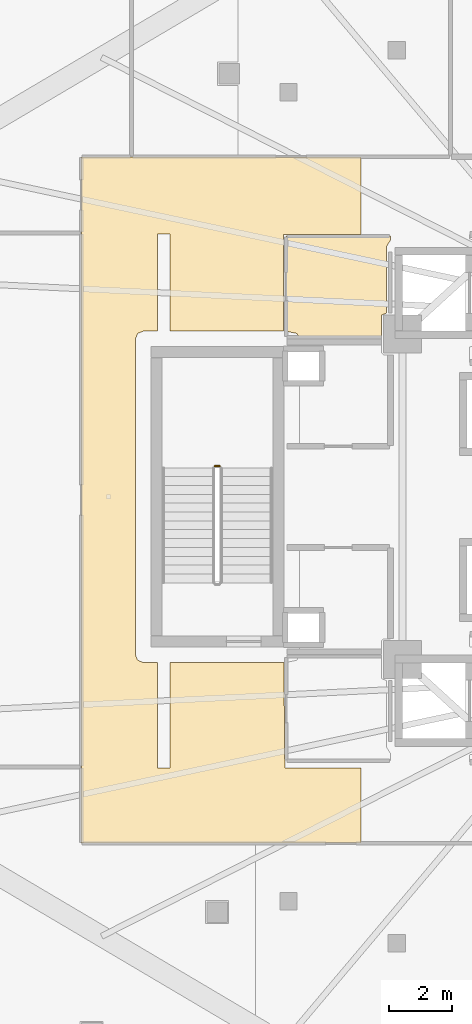
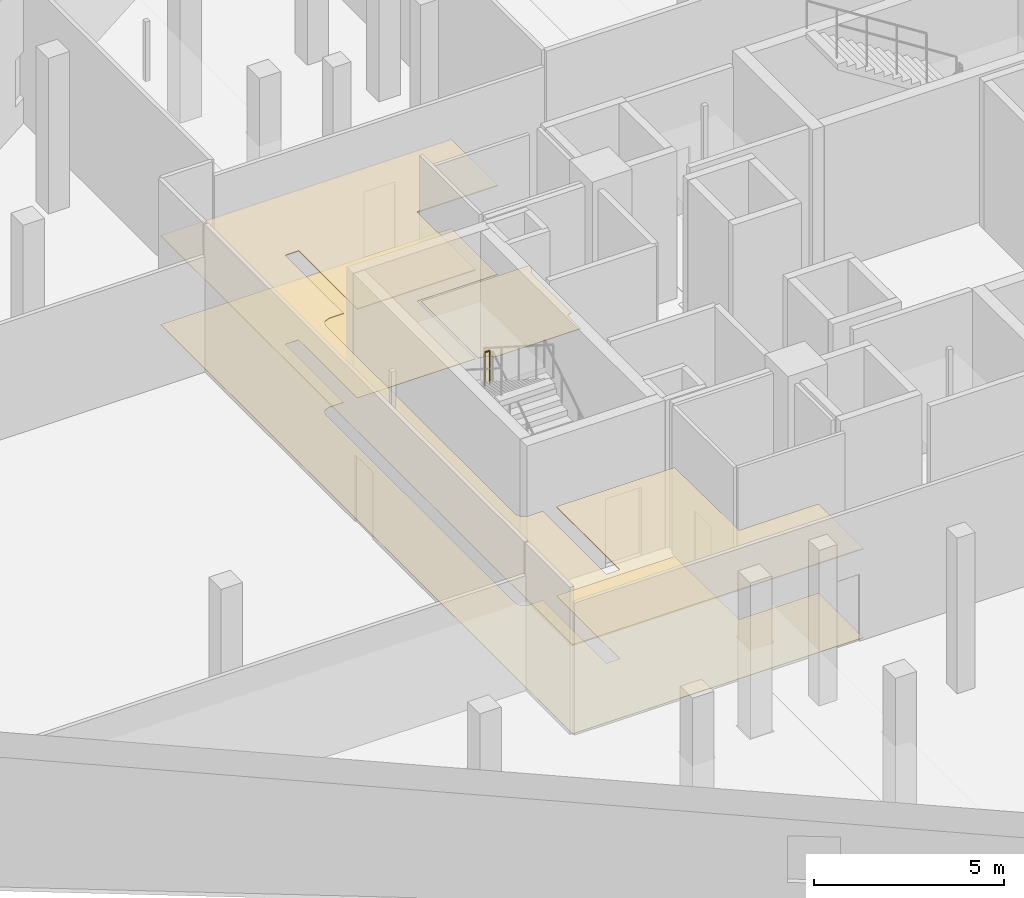
# One storey, part 41 of 46: 3 coverings, 1 railing.
"""IFC4 building model written with IfcOpenShell, lengths in metres."""

import ifcopenshell
import ifcopenshell.guid

model = None  # the IFC model being written
_history = None  # IfcOwnerHistory: only IFC2X3 demands one
_inside = {}  # id of a spatial element -> (the spatial element, [elements in it])
_under = {}  # id of a project, library or spatial element -> (it, [spatial elements below it])
_declared = {}  # id of a project -> (the project, [libraries it declares])
_typed = {}  # id of a type object -> (the type object, [elements of that type])
_made_of = {}  # id of a material, layer set ... -> (it, [elements and type objects made of it])


def new_model(schema):
    """Start an empty IFC model of exactly this schema.

    Asked for "IFC4X3", IfcOpenShell would pick the latest addendum, in which some entities
    have other attributes; the version numbers below select the first issue.
    IFC2X3 requires an IfcOwnerHistory on every rooted entity: one is made here for all.
    """
    global model, _history
    if schema == "IFC4X3":
        model = ifcopenshell.file(schema_version=(4, 3, 0, 0))
    else:
        model = ifcopenshell.file(schema=schema)
    _inside.clear()
    _under.clear()
    _declared.clear()
    _typed.clear()
    _made_of.clear()
    _history = None
    if model.schema == "IFC2X3":
        org = make("IfcOrganization", Name="unknown")
        user = make(
            "IfcPersonAndOrganization",
            ThePerson=make("IfcPerson", FamilyName="unknown"),
            TheOrganization=org,
        )
        app = make(
            "IfcApplication",
            ApplicationDeveloper=org,
            Version="unknown",
            ApplicationFullName="unknown",
            ApplicationIdentifier="unknown",
        )
        _history = make(
            "IfcOwnerHistory",
            OwningUser=user,
            OwningApplication=app,
            ChangeAction="ADDED",
            CreationDate=0,
        )
    return model


def make(cls, **values):
    """One entity of the class cls with the attributes given. An attribute that is None is left unset."""
    return model.create_entity(
        cls, **{name: value for name, value in values.items() if value is not None}
    )


def rooted(cls, **values):
    """An entity with a GlobalId (a new one), such as an element, a storey or a relation."""
    return make(cls, GlobalId=ifcopenshell.guid.new(), OwnerHistory=_history, **values)


def si_unit(unit_type, name, prefix=None):
    """IfcSIUnit, for example si_unit("LENGTHUNIT", "METRE", prefix="MILLI")."""
    return make("IfcSIUnit", UnitType=unit_type, Prefix=prefix, Name=name)


def assignment(units):
    """IfcUnitAssignment: the units of a project."""
    return None if units is None else make("IfcUnitAssignment", Units=units)


def point(xyz):
    """IfcCartesianPoint."""
    return None if xyz is None else make("IfcCartesianPoint", Coordinates=xyz)


def direction(xyz):
    """IfcDirection."""
    return None if xyz is None else make("IfcDirection", DirectionRatios=xyz)


def frame(location, z_axis=None, x_axis=None):
    """IfcAxis2Placement3D, a coordinate frame: its origin and axes. An axis left out is left unset."""
    return make(
        "IfcAxis2Placement3D",
        Location=point(location),
        Axis=direction(z_axis),
        RefDirection=direction(x_axis),
    )


def frame_2d(location, x_axis=None):
    """IfcAxis2Placement2D, a coordinate frame in the plane: its origin and x axis."""
    return make(
        "IfcAxis2Placement2D", Location=point(location), RefDirection=direction(x_axis)
    )


def origin():
    """The frame at (0, 0, 0) with its axes left unset."""
    return frame((0.0, 0.0, 0.0))


def origin_2d():
    """The frame at (0, 0) in the plane with its x axis left unset."""
    return frame_2d((0.0, 0.0))


def place(relative_to, where):
    """IfcLocalPlacement: puts the frame where relative to a parent placement (None: the world)."""
    return make(
        "IfcLocalPlacement", PlacementRelTo=relative_to, RelativePlacement=where
    )


def context(
    kind, dimensions, precision=None, world=None, true_north=None, identifier=None
):
    """IfcGeometricRepresentationContext, for example the 3D "Model" context."""
    return make(
        "IfcGeometricRepresentationContext",
        ContextIdentifier=identifier,
        ContextType=kind,
        CoordinateSpaceDimension=dimensions,
        Precision=precision,
        WorldCoordinateSystem=world,
        TrueNorth=true_north,
    )


def subcontext(parent, identifier, kind, view, scale=None):
    """IfcGeometricRepresentationSubContext, for example "Body" below "Model"."""
    return make(
        "IfcGeometricRepresentationSubContext",
        ContextIdentifier=identifier,
        ContextType=kind,
        ParentContext=parent,
        TargetScale=scale,
        TargetView=view,
    )


def project(units=None, contexts=None):
    """IfcProject with its units and contexts."""
    return rooted(
        "IfcProject",
        Name="project",
        RepresentationContexts=contexts,
        UnitsInContext=assignment(units),
    )


def spatial(cls, under=None, at=None, **own):
    """A site, building, storey or space (cls), placed at a placement, below another one or the project."""
    s = rooted(cls, ObjectPlacement=at, **own)
    if under is not None:
        _under.setdefault(under.id(), (under, []))[1].append(s)
    return s


def polyline(points):
    """IfcPolyline through the points."""
    return make("IfcPolyline", Points=[point(p) for p in points])


def profile(cls, at=None, kind="AREA", **sizes):
    """A parametric profile (cls). Its sizes go by their IFC names, for example OverallWidth=200.0."""
    return make(cls, ProfileType=kind, Position=at, **sizes)


def circle(**sizes):
    """IfcCircleProfileDef."""
    return profile("IfcCircleProfileDef", **sizes)


def outline(outer, holes=None, kind="AREA"):
    """IfcArbitraryClosedProfileDef: a profile drawn as a closed curve; with holes, ...WithVoids."""
    if holes is None:
        return make("IfcArbitraryClosedProfileDef", ProfileType=kind, OuterCurve=outer)
    return make(
        "IfcArbitraryProfileDefWithVoids",
        ProfileType=kind,
        OuterCurve=outer,
        InnerCurves=holes,
    )


def extrude(swept, where, along, depth):
    """IfcExtrudedAreaSolid: the profile swept, set in the frame where, extruded along a direction by depth."""
    return make(
        "IfcExtrudedAreaSolid",
        SweptArea=swept,
        Position=where,
        ExtrudedDirection=direction(along),
        Depth=depth,
    )


def shape(context_of_items, identifier, shape_type, items):
    """IfcShapeRepresentation: the items that make up one representation, for example the "Body"."""
    return make(
        "IfcShapeRepresentation",
        ContextOfItems=context_of_items,
        RepresentationIdentifier=identifier,
        RepresentationType=shape_type,
        Items=items,
    )


def material(Name=None, Category=None):
    """IfcMaterial."""
    return make("IfcMaterial", Name=Name, Category=Category)


def layer(
    of_material, thickness, ventilated=None, Name=None, Category=None, Priority=None
):
    """IfcMaterialLayer: one layer of a wall or slab, of a material (None: an air gap)."""
    return make(
        "IfcMaterialLayer",
        Material=of_material,
        LayerThickness=thickness,
        IsVentilated=ventilated,
        Name=Name,
        Category=Category,
        Priority=Priority,
    )


def layer_set(layers, Name=None):
    """IfcMaterialLayerSet."""
    return make("IfcMaterialLayerSet", MaterialLayers=layers, LayerSetName=Name)


def made_of(thing, what):
    """Note that an element or type object is made of a material, layer set ...; save() writes the relation."""
    if what is not None:
        _made_of.setdefault(what.id(), (what, []))[1].append(thing)
    return thing


def type_object(cls, material=None, **own):
    """A type object (cls), such as IfcWallType, which elements share."""
    return made_of(rooted(cls, **own), material)


def element(
    cls,
    number,
    at=None,
    inside=None,
    cuts=None,
    type_object=None,
    material=None,
    context=None,
    identifier="Body",
    shape_type=None,
    held_by="IfcProductDefinitionShape",
    body=None,
    shapes=None,
    **own,
):
    """One element of the class cls, such as IfcWall. Its Tag is "e" and its number.

    at: its placement. inside: the storey or other place that contains it. cuts: it is an
    opening in that element (IfcRelVoidsElement). A single representation is given by context,
    identifier, shape_type and body (its items); several are given by shapes. held_by: the class
    of the entity that holds the representations. save() writes the other relations.
    """
    e = rooted(cls, Tag="e%d" % number, ObjectPlacement=at, **own)
    if body is not None:
        shapes = [shape(context, identifier, shape_type, body)]
    if shapes is not None:
        e.Representation = make(held_by, Representations=shapes)
    if inside is not None:
        _inside.setdefault(inside.id(), (inside, []))[1].append(e)
    if cuts is not None:
        rooted(
            "IfcRelVoidsElement", RelatingBuildingElement=cuts, RelatedOpeningElement=e
        )
    if type_object is not None:
        _typed.setdefault(type_object.id(), (type_object, []))[1].append(e)
    return made_of(e, material)


def aggregate(whole, parts):
    """IfcRelAggregates: a whole, such as a stair, and the parts it consists of."""
    return rooted("IfcRelAggregates", RelatingObject=whole, RelatedObjects=parts)


def save(model, path):
    """Write the relations noted so far, then the file.

    IfcRelAggregates (storeys below a building ...), IfcRelContainedInSpatialStructure (elements
    in a storey), IfcRelDefinesByType, IfcRelAssociatesMaterial and IfcRelDeclares: one each for
    every whole, place, type object, material and project.
    """
    for whole, parts in _under.values():
        aggregate(whole, parts)
    for where, things in _inside.values():
        rooted(
            "IfcRelContainedInSpatialStructure",
            RelatedElements=things,
            RelatingStructure=where,
        )
    for kind, things in _typed.values():
        rooted("IfcRelDefinesByType", RelatedObjects=things, RelatingType=kind)
    for what, things in _made_of.values():
        rooted("IfcRelAssociatesMaterial", RelatedObjects=things, RelatingMaterial=what)
    for by, libraries in _declared.values():
        rooted("IfcRelDeclares", RelatingContext=by, RelatedDefinitions=libraries)
    model.write(path)


model = new_model("IFC4")

# Units and contexts
model_context = context("Model", 3, precision=1e-05, world=origin(), true_north=direction((0.0, 1.0)))
body_context = subcontext(model_context, "Body", "Model", "MODEL_VIEW")
ifc_project = project(units=[si_unit("LENGTHUNIT", "METRE"), si_unit("AREAUNIT", "SQUARE_METRE"), si_unit("VOLUMEUNIT", "CUBIC_METRE"), si_unit("PLANEANGLEUNIT", "RADIAN"), si_unit("MASSUNIT", "GRAM", prefix="KILO")], contexts=[model_context])

# Site, building, storey
site_placement = place(None, origin())
site = spatial("IfcSite", under=ifc_project, at=site_placement, CompositionType="ELEMENT")
building_placement = place(site_placement, origin())
building = spatial("IfcBuilding", under=site, at=building_placement, Name="Qorvath Tower", CompositionType="ELEMENT")
storey_placement = place(building_placement, frame((0.0, 0.0, 17.0)))
storey = spatial("IfcBuildingStorey", under=building, at=storey_placement, Name="L03", CompositionType="ELEMENT", Elevation=17.0)

# Coverings
ifc_material_1 = material(Name="Acoustic mineral fibre ceiling tile", Category="gypsum")
ifc_layer_1 = layer(ifc_material_1, 0.030029296875)
ifc_layer_set_1 = layer_set([ifc_layer_1], Name="COV-CEIL")
covering_type_1 = type_object("IfcCoveringType", Name="COV-CEIL", PredefinedType="CEILING", material=ifc_layer_set_1)
covering_1_placement = place(storey_placement, frame((0.0, 0.0, 2.85009765625)))
element("IfcCovering", 1, at=covering_1_placement, inside=storey, type_object=covering_type_1, Name="L03 Suspended Acoustic Ceiling 007", PredefinedType="CEILING", context=body_context, shape_type="SweptSolid", body=[
    extrude(outline(polyline([(-31.804931640625, -10.945068359375), (-31.804931640625, -8.58203125), (-34.219970703125, -8.5849609375), (-34.251220703125, -5.239990234375), (-37.844970703125, -5.239990234375), (-37.844970703125, -8.580078125), (-38.25341796875, -8.58349609375), (-38.2548828125, -5.239990234375), (-38.699951171875, -5.239990234375), (-38.876708984375, -5.166748046875), (-38.949951171875, -4.989990234375), (-38.949951171875, 4.989990234375), (-38.876708984375, 5.166748046875), (-38.699951171875, 5.239990234375), (-38.2548828125, 5.239990234375), (-38.2548828125, 8.320068359375), (-37.844970703125, 8.320068359375), (-37.844970703125, 5.239990234375), (-34.2548828125, 5.239990234375), (-34.2548828125, 8.300048828125), (-31.804931640625, 8.30126953125), (-31.804931640625, 10.7451171875), (-40.64501953125, 10.7451171875), (-40.64501953125, -10.945068359375), (-31.804931640625, -10.945068359375)])), origin(), (0.0, 0.0, 1.0), 0.030029296875),
])
ifc_material_2 = material(Name="Polished epoxy terrazzo flooring", Category="concrete")
ifc_layer_2 = layer(ifc_material_2, 0.02001953125)
ifc_layer_set_2 = layer_set([ifc_layer_2], Name="COV-FLOOR-TRZ")
covering_type_2 = type_object("IfcCoveringType", Name="COV-FLOOR-TRZ", PredefinedType="FLOORING", material=ifc_layer_set_2)
covering_2_placement = place(storey_placement, origin())
element("IfcCovering", 2, at=covering_2_placement, inside=storey, type_object=covering_type_2, Name="L03 Floor Finish 003", PredefinedType="FLOORING", context=body_context, shape_type="SweptSolid", body=[
    extrude(outline(polyline([(-31.010009765625, 7.909912109375), (-30.885009765625, 8.108154296875), (-30.885009765625, 8.2451171875), (-34.175048828125, 8.2451171875), (-34.175048828125, 5.239990234375), (-33.833251953125, 5.166748046875), (-33.786865234375, 5.054931640625), (-31.159912109375, 5.054931640625), (-31.159912109375, 5.75), (-31.010009765625, 5.81005859375), (-31.010009765625, 7.909912109375)])), origin(), (0.0, 0.0, 1.0), 0.014892578125),
])
covering_3_placement = place(storey_placement, origin())
element("IfcCovering", 3, at=covering_3_placement, inside=storey, type_object=covering_type_2, Name="L03 Floor Finish 007", PredefinedType="FLOORING", context=body_context, shape_type="SweptSolid", body=[
    extrude(outline(polyline([(-31.804931640625, -10.945068359375), (-31.804931640625, -8.58203125), (-34.219970703125, -8.5849609375), (-34.251220703125, -5.239990234375), (-37.844970703125, -5.239990234375), (-37.844970703125, -8.580078125), (-38.25341796875, -8.58349609375), (-38.2548828125, -5.239990234375), (-38.699951171875, -5.239990234375), (-38.876708984375, -5.166748046875), (-38.949951171875, -4.989990234375), (-38.949951171875, 4.989990234375), (-38.876708984375, 5.166748046875), (-38.699951171875, 5.239990234375), (-38.2548828125, 5.239990234375), (-38.2548828125, 8.320068359375), (-37.844970703125, 8.320068359375), (-37.844970703125, 5.239990234375), (-34.2548828125, 5.239990234375), (-34.2548828125, 8.300048828125), (-31.804931640625, 8.30126953125), (-31.804931640625, 10.7451171875), (-40.64501953125, 10.7451171875), (-40.64501953125, -10.945068359375), (-31.804931640625, -10.945068359375)])), origin(), (0.0, 0.0, 1.0), 0.014892578125),
])

# Railing
ifc_material_3 = material(Name="Painted galvanised steel", Category="steel")
railing_type = type_object("IfcRailingType", Name="RL-STR-GRD", PredefinedType="GUARDRAIL", material=ifc_material_3)
railing_placement = place(storey_placement, frame((-36.280029296875, 0.969970703125, 2.5)))
element("IfcRailing", 4, at=railing_placement, inside=storey, type_object=railing_type, Name="L03 TS3 stair guard 2", PredefinedType="GUARDRAIL", context=body_context, shape_type="SweptSolid", body=[
    extrude(circle(Radius=0.02392578125, at=origin_2d()), frame((0.0, 0.0, 1.076171875), z_axis=(-1.0, 0.0, 0.0), x_axis=(0.0, -1.0, 0.0)), (0.0, 0.0, 1.0), 0.14990234375),
    extrude(circle(Radius=0.02099609375, at=origin_2d()), origin(), (0.0, 0.0, 1.0), 1.052001953125),
    extrude(circle(Radius=0.02099609375, at=origin_2d()), frame((-0.14990234375, 0.0, 0.0)), (0.0, 0.0, 1.0), 1.052001953125),
])

save(model, "model.ifc")
